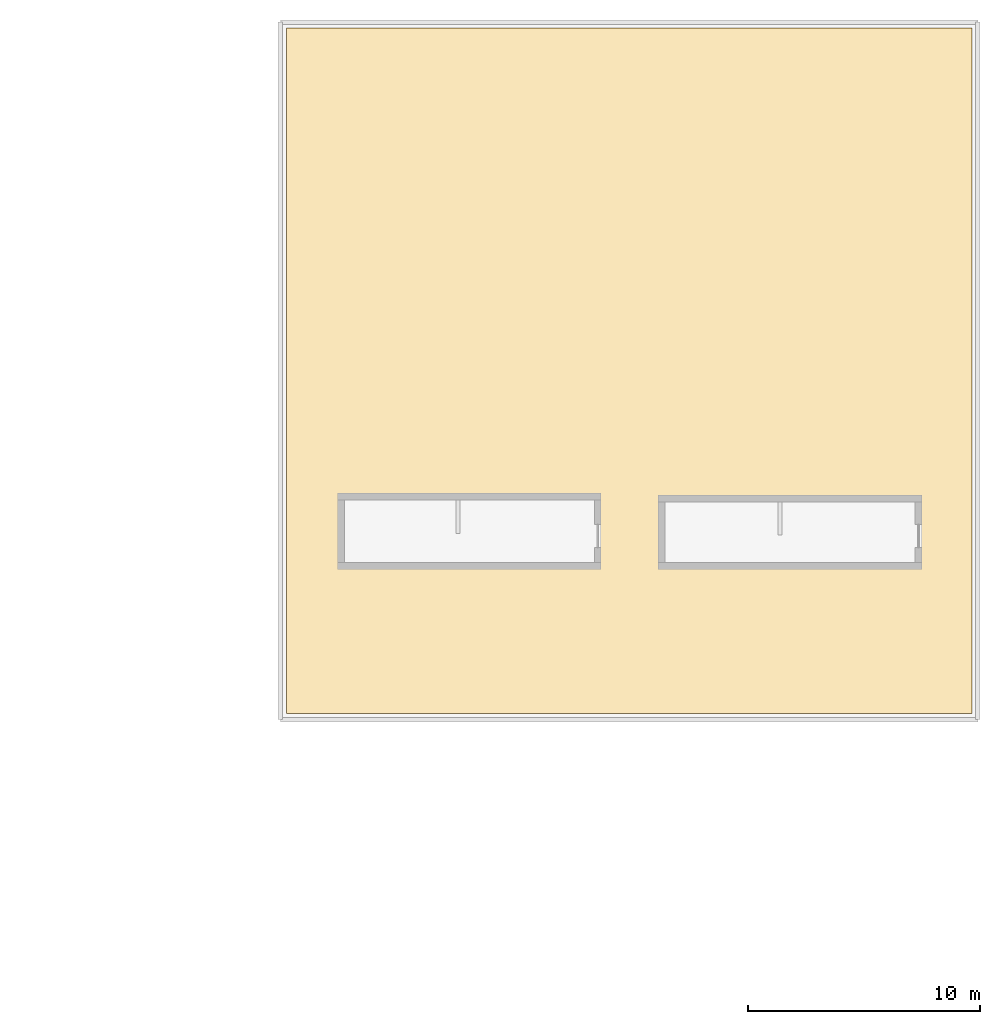
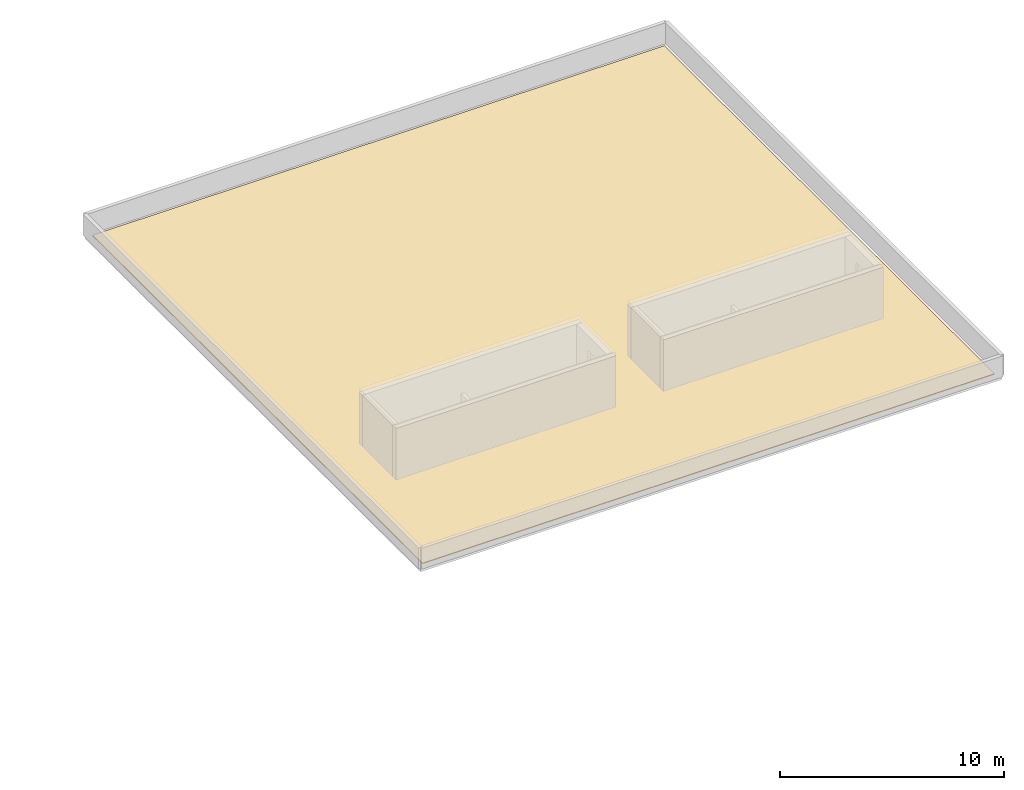
# One storey, part 9 of 9: 1 covering, 1 element without a shape of its own.
"""IFC4 building model written with IfcOpenShell, lengths in metres."""

import ifcopenshell
import ifcopenshell.guid

model = None  # the IFC model being written
_history = None  # IfcOwnerHistory: only IFC2X3 demands one
_inside = {}  # id of a spatial element -> (the spatial element, [elements in it])
_under = {}  # id of a project, library or spatial element -> (it, [spatial elements below it])
_declared = {}  # id of a project -> (the project, [libraries it declares])
_typed = {}  # id of a type object -> (the type object, [elements of that type])
_made_of = {}  # id of a material, layer set ... -> (it, [elements and type objects made of it])


def new_model(schema):
    """Start an empty IFC model of exactly this schema.

    Asked for "IFC4X3", IfcOpenShell would pick the latest addendum, in which some entities
    have other attributes; the version numbers below select the first issue.
    IFC2X3 requires an IfcOwnerHistory on every rooted entity: one is made here for all.
    """
    global model, _history
    if schema == "IFC4X3":
        model = ifcopenshell.file(schema_version=(4, 3, 0, 0))
    else:
        model = ifcopenshell.file(schema=schema)
    _inside.clear()
    _under.clear()
    _declared.clear()
    _typed.clear()
    _made_of.clear()
    _history = None
    if model.schema == "IFC2X3":
        org = make("IfcOrganization", Name="unknown")
        user = make(
            "IfcPersonAndOrganization",
            ThePerson=make("IfcPerson", FamilyName="unknown"),
            TheOrganization=org,
        )
        app = make(
            "IfcApplication",
            ApplicationDeveloper=org,
            Version="unknown",
            ApplicationFullName="unknown",
            ApplicationIdentifier="unknown",
        )
        _history = make(
            "IfcOwnerHistory",
            OwningUser=user,
            OwningApplication=app,
            ChangeAction="ADDED",
            CreationDate=0,
        )
    return model


def make(cls, **values):
    """One entity of the class cls with the attributes given. An attribute that is None is left unset."""
    return model.create_entity(
        cls, **{name: value for name, value in values.items() if value is not None}
    )


def rooted(cls, **values):
    """An entity with a GlobalId (a new one), such as an element, a storey or a relation."""
    return make(cls, GlobalId=ifcopenshell.guid.new(), OwnerHistory=_history, **values)


def si_unit(unit_type, name, prefix=None):
    """IfcSIUnit, for example si_unit("LENGTHUNIT", "METRE", prefix="MILLI")."""
    return make("IfcSIUnit", UnitType=unit_type, Prefix=prefix, Name=name)


def assignment(units):
    """IfcUnitAssignment: the units of a project."""
    return None if units is None else make("IfcUnitAssignment", Units=units)


def point(xyz):
    """IfcCartesianPoint."""
    return None if xyz is None else make("IfcCartesianPoint", Coordinates=xyz)


def direction(xyz):
    """IfcDirection."""
    return None if xyz is None else make("IfcDirection", DirectionRatios=xyz)


def frame(location, z_axis=None, x_axis=None):
    """IfcAxis2Placement3D, a coordinate frame: its origin and axes. An axis left out is left unset."""
    return make(
        "IfcAxis2Placement3D",
        Location=point(location),
        Axis=direction(z_axis),
        RefDirection=direction(x_axis),
    )


def origin():
    """The frame at (0, 0, 0) with its axes left unset."""
    return frame((0.0, 0.0, 0.0))


def place(relative_to, where):
    """IfcLocalPlacement: puts the frame where relative to a parent placement (None: the world)."""
    return make(
        "IfcLocalPlacement", PlacementRelTo=relative_to, RelativePlacement=where
    )


def context(
    kind, dimensions, precision=None, world=None, true_north=None, identifier=None
):
    """IfcGeometricRepresentationContext, for example the 3D "Model" context."""
    return make(
        "IfcGeometricRepresentationContext",
        ContextIdentifier=identifier,
        ContextType=kind,
        CoordinateSpaceDimension=dimensions,
        Precision=precision,
        WorldCoordinateSystem=world,
        TrueNorth=true_north,
    )


def subcontext(parent, identifier, kind, view, scale=None):
    """IfcGeometricRepresentationSubContext, for example "Body" below "Model"."""
    return make(
        "IfcGeometricRepresentationSubContext",
        ContextIdentifier=identifier,
        ContextType=kind,
        ParentContext=parent,
        TargetScale=scale,
        TargetView=view,
    )


def project(units=None, contexts=None):
    """IfcProject with its units and contexts."""
    return rooted(
        "IfcProject",
        Name="project",
        RepresentationContexts=contexts,
        UnitsInContext=assignment(units),
    )


def spatial(cls, under=None, at=None, **own):
    """A site, building, storey or space (cls), placed at a placement, below another one or the project."""
    s = rooted(cls, ObjectPlacement=at, **own)
    if under is not None:
        _under.setdefault(under.id(), (under, []))[1].append(s)
    return s


def polyline(points):
    """IfcPolyline through the points."""
    return make("IfcPolyline", Points=[point(p) for p in points])


def outline(outer, holes=None, kind="AREA"):
    """IfcArbitraryClosedProfileDef: a profile drawn as a closed curve; with holes, ...WithVoids."""
    if holes is None:
        return make("IfcArbitraryClosedProfileDef", ProfileType=kind, OuterCurve=outer)
    return make(
        "IfcArbitraryProfileDefWithVoids",
        ProfileType=kind,
        OuterCurve=outer,
        InnerCurves=holes,
    )


def extrude(swept, where, along, depth):
    """IfcExtrudedAreaSolid: the profile swept, set in the frame where, extruded along a direction by depth."""
    return make(
        "IfcExtrudedAreaSolid",
        SweptArea=swept,
        Position=where,
        ExtrudedDirection=direction(along),
        Depth=depth,
    )


def shape(context_of_items, identifier, shape_type, items):
    """IfcShapeRepresentation: the items that make up one representation, for example the "Body"."""
    return make(
        "IfcShapeRepresentation",
        ContextOfItems=context_of_items,
        RepresentationIdentifier=identifier,
        RepresentationType=shape_type,
        Items=items,
    )


def material(Name=None, Category=None):
    """IfcMaterial."""
    return make("IfcMaterial", Name=Name, Category=Category)


def layer(
    of_material, thickness, ventilated=None, Name=None, Category=None, Priority=None
):
    """IfcMaterialLayer: one layer of a wall or slab, of a material (None: an air gap)."""
    return make(
        "IfcMaterialLayer",
        Material=of_material,
        LayerThickness=thickness,
        IsVentilated=ventilated,
        Name=Name,
        Category=Category,
        Priority=Priority,
    )


def layer_set(layers, Name=None):
    """IfcMaterialLayerSet."""
    return make("IfcMaterialLayerSet", MaterialLayers=layers, LayerSetName=Name)


def made_of(thing, what):
    """Note that an element or type object is made of a material, layer set ...; save() writes the relation."""
    if what is not None:
        _made_of.setdefault(what.id(), (what, []))[1].append(thing)
    return thing


def type_object(cls, material=None, **own):
    """A type object (cls), such as IfcWallType, which elements share."""
    return made_of(rooted(cls, **own), material)


def element(
    cls,
    number,
    at=None,
    inside=None,
    cuts=None,
    type_object=None,
    material=None,
    context=None,
    identifier="Body",
    shape_type=None,
    held_by="IfcProductDefinitionShape",
    body=None,
    shapes=None,
    **own,
):
    """One element of the class cls, such as IfcWall. Its Tag is "e" and its number.

    at: its placement. inside: the storey or other place that contains it. cuts: it is an
    opening in that element (IfcRelVoidsElement). A single representation is given by context,
    identifier, shape_type and body (its items); several are given by shapes. held_by: the class
    of the entity that holds the representations. save() writes the other relations.
    """
    e = rooted(cls, Tag="e%d" % number, ObjectPlacement=at, **own)
    if body is not None:
        shapes = [shape(context, identifier, shape_type, body)]
    if shapes is not None:
        e.Representation = make(held_by, Representations=shapes)
    if inside is not None:
        _inside.setdefault(inside.id(), (inside, []))[1].append(e)
    if cuts is not None:
        rooted(
            "IfcRelVoidsElement", RelatingBuildingElement=cuts, RelatedOpeningElement=e
        )
    if type_object is not None:
        _typed.setdefault(type_object.id(), (type_object, []))[1].append(e)
    return made_of(e, material)


def aggregate(whole, parts):
    """IfcRelAggregates: a whole, such as a stair, and the parts it consists of."""
    return rooted("IfcRelAggregates", RelatingObject=whole, RelatedObjects=parts)


def save(model, path):
    """Write the relations noted so far, then the file.

    IfcRelAggregates (storeys below a building ...), IfcRelContainedInSpatialStructure (elements
    in a storey), IfcRelDefinesByType, IfcRelAssociatesMaterial and IfcRelDeclares: one each for
    every whole, place, type object, material and project.
    """
    for whole, parts in _under.values():
        aggregate(whole, parts)
    for where, things in _inside.values():
        rooted(
            "IfcRelContainedInSpatialStructure",
            RelatedElements=things,
            RelatingStructure=where,
        )
    for kind, things in _typed.values():
        rooted("IfcRelDefinesByType", RelatedObjects=things, RelatingType=kind)
    for what, things in _made_of.values():
        rooted("IfcRelAssociatesMaterial", RelatedObjects=things, RelatingMaterial=what)
    for by, libraries in _declared.values():
        rooted("IfcRelDeclares", RelatingContext=by, RelatedDefinitions=libraries)
    model.write(path)


model = new_model("IFC4")

# Units and contexts
model_context = context("Model", 3, precision=1e-05, world=origin(), true_north=direction((0.0, 1.0)))
body_context = subcontext(model_context, "Body", "Model", "MODEL_VIEW")
ifc_project = project(units=[si_unit("LENGTHUNIT", "METRE"), si_unit("AREAUNIT", "SQUARE_METRE"), si_unit("VOLUMEUNIT", "CUBIC_METRE"), si_unit("PLANEANGLEUNIT", "RADIAN"), si_unit("MASSUNIT", "GRAM", prefix="KILO"), si_unit("POWERUNIT", "WATT"), si_unit("THERMODYNAMICTEMPERATUREUNIT", "KELVIN")], contexts=[model_context])

# Site, building, storey
site_placement = place(None, origin())
site = spatial("IfcSite", under=ifc_project, at=site_placement, CompositionType="ELEMENT")
building_placement = place(site_placement, origin())
building = spatial("IfcBuilding", under=site, at=building_placement, Name="Ruvembo Vaulted Housing Court", CompositionType="ELEMENT")
storey_placement = place(building_placement, frame((0.0, 0.0, 36.5)))
storey = spatial("IfcBuildingStorey", under=building, at=storey_placement, Name="L11", CompositionType="ELEMENT", Elevation=36.5)

# Roof, covering
ifc_material_1 = material(Name="Concrete C30/37", Category="concrete")
ifc_layer_1 = layer(ifc_material_1, 0.195068359375, Name="Concrete C30/37")
ifc_layer_set_1 = layer_set([ifc_layer_1], Name="Concrete C30/37")
roof_type = type_object("IfcRoofType", Name="ROOF-FLAT-B", PredefinedType="FLAT_ROOF", material=ifc_layer_set_1)
roof_placement = place(storey_placement, origin())
roof = element("IfcRoof", 1, at=roof_placement, inside=storey, type_object=roof_type, Name="Block B Flat Roof Assembly", PredefinedType="FLAT_ROOF")
ifc_material_2 = material(Name="TPO Waterproofing and Terracotta Tile", Category="masonry")
ifc_layer_2 = layer(ifc_material_2, 0.044921875, Name="TPO Waterproofing and Terracotta Tile")
ifc_layer_set_2 = layer_set([ifc_layer_2], Name="TPO Waterproofing and Terracotta Tile")
covering_type = type_object("IfcCoveringType", Name="COV-ROOF-MEMB", PredefinedType="ROOFING", material=ifc_layer_set_2)
covering_placement = place(storey_placement, origin())
covering = element("IfcCovering", 2, at=covering_placement, type_object=covering_type, Name="Block B L11 Insulated Roof Waterproofing", PredefinedType="ROOFING", context=body_context, shape_type="SweptSolid", body=[
    extrude(outline(polyline([(48.25, 84.25), (77.75, 84.25), (77.75, 113.75), (48.25, 113.75), (48.25, 84.25)])), origin(), (0.0, 0.0, 1.0), 0.044921875),
])
aggregate(roof, [covering])

save(model, "model.ifc")
